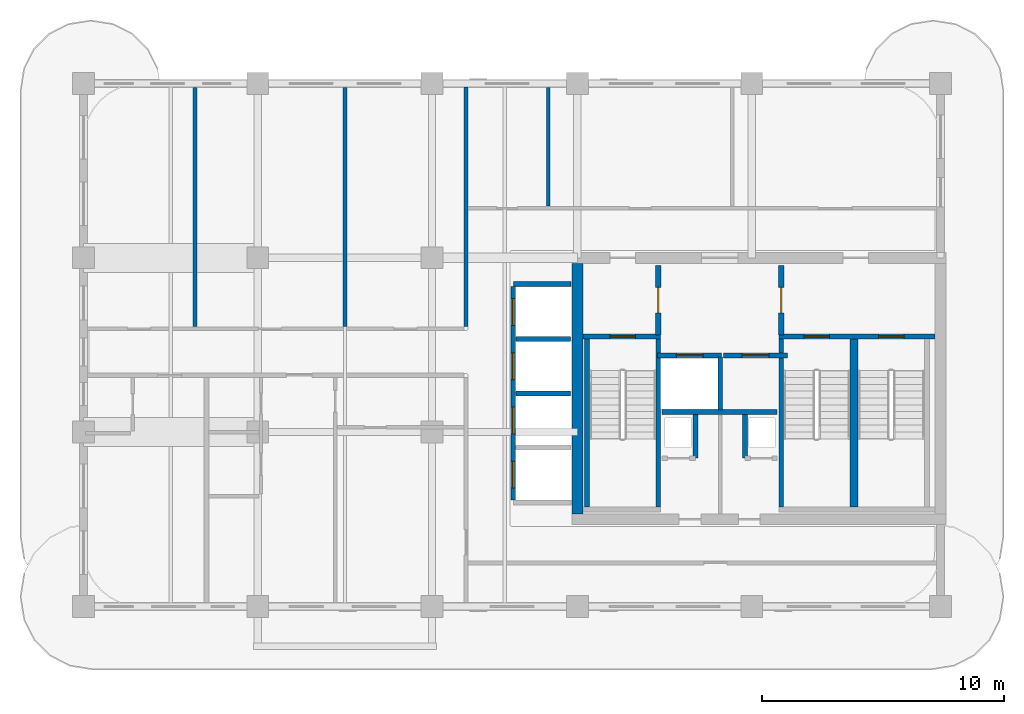
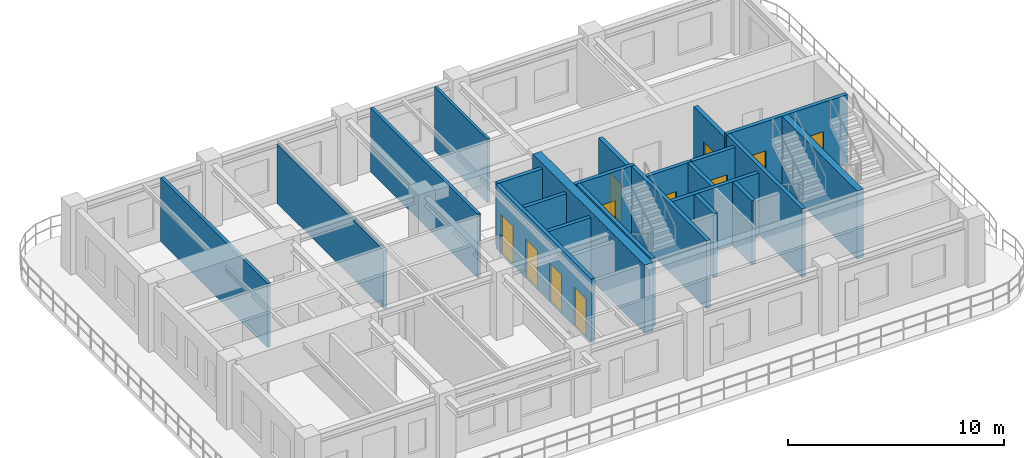
# One storey, part 4 of 8: 23 walls, 11 doors, 11 openings.
"""IFC4 building model written with IfcOpenShell, lengths in metres."""

from ifc_helpers import new_model, si_unit, derived_unit, direction, frame, frame_2d, origin, place, context, subcontext, project, spatial, rectangle, extrude, source, transform, mapped, material, layer, layer_set, type_object, type_shapes, element, fill, save


model = new_model("IFC4")

# Units and contexts
model_context = context("Model", 3, precision=1e-05, world=origin(), true_north=direction((0.0, 1.0)))
body_context = subcontext(model_context, "Body", "Model", "MODEL_VIEW")
ifc_project = project(units=[si_unit("LENGTHUNIT", "METRE"), si_unit("AREAUNIT", "SQUARE_METRE"), si_unit("VOLUMEUNIT", "CUBIC_METRE"), si_unit("PLANEANGLEUNIT", "RADIAN"), si_unit("MASSUNIT", "GRAM", prefix="KILO"), si_unit("THERMODYNAMICTEMPERATUREUNIT", "KELVIN"), si_unit("POWERUNIT", "WATT"), derived_unit("THERMALTRANSMITTANCEUNIT", [(si_unit("POWERUNIT", "WATT"), 1), (si_unit("AREAUNIT", "SQUARE_METRE"), -1), (si_unit("THERMODYNAMICTEMPERATUREUNIT", "KELVIN"), -1)])], contexts=[model_context])

# Site, building, storey
site_placement = place(None, origin())
site = spatial("IfcSite", under=ifc_project, at=site_placement, CompositionType="ELEMENT")
building_placement = place(site_placement, origin())
building = spatial("IfcBuilding", under=site, at=building_placement, Name="Zahravan Archway Hotel and Residences", CompositionType="ELEMENT")
storey_placement = place(building_placement, frame((0.0, 0.0, 248.10009765625)))
storey = spatial("IfcBuildingStorey", under=building, at=storey_placement, Name="L62", CompositionType="ELEMENT", Elevation=248.10009765625)

# Wall
ifc_material_1 = material(Name="Concrete C50/60", Category="concrete")
ifc_layer_1 = layer(ifc_material_1, 0.449951171875, Name="Concrete C50/60", Category="concrete")
ifc_layer_set_1 = layer_set([ifc_layer_1], Name="Concrete C50/60")
wall_type_1 = type_object("IfcWallType", Name="CW-CORE-450", PredefinedType="SHEAR", material=ifc_layer_set_1)
wall_1_placement = place(storey_placement, frame((34.800048828125, 3.824951171875, 0.0), z_axis=(0.0, 0.0, 1.0), x_axis=(0.0, 1.0, 0.0)))
element("IfcWall", 1, at=wall_1_placement, inside=storey, type_object=wall_type_1, Name="L62 Core A Shear W Wall 450 mm", PredefinedType="SHEAR", context=body_context, shape_type="SweptSolid", body=[
    extrude(rectangle(XDim=10.35009765625, YDim=0.449951171875, at=frame_2d((5.175048828125, 0.0))), origin(), (0.0, 0.0, 1.0), 3.849853515625),
])

# Wall, opening, door
ifc_material_2 = material(Name="Fire-Rated Gypsum & Concrete Block", Category="concrete")
ifc_layer_2 = layer(ifc_material_2, 0.219970703125, Name="Fire-Rated Gypsum & Concrete Block", Category="concrete")
ifc_layer_set_2 = layer_set([ifc_layer_2], Name="Fire-Rated Gypsum & Concrete Block")
wall_type_2 = type_object("IfcWallType", Name="PW-COMP-220", PredefinedType="PARTITIONING", material=ifc_layer_set_2)
wall_2_placement = place(storey_placement, frame((38.139892578125, 11.219970703125, 0.0), z_axis=(0.0, 0.0, 1.0), x_axis=(0.0, 1.0, 0.0)))
wall_2 = element("IfcWall", 2, at=wall_2_placement, inside=storey, type_object=wall_type_2, Name="L62 Partition CA-LOBW", PredefinedType="PARTITIONING", context=body_context, shape_type="SweptSolid", body=[
    extrude(rectangle(XDim=2.860107421875, YDim=0.219970703125, at=frame_2d((1.43017578125, 0.0))), origin(), (0.0, 0.0, 1.0), 3.599853515625),
])
opening_1_placement = place(wall_2_placement, frame((0.905029296875, 0.0, 0.0)))
opening_1 = element("IfcOpeningElement", 3, at=opening_1_placement, cuts=wall_2, Name="Opening FD-L2", PredefinedType="OPENING", context=body_context, shape_type="SweptSolid", body=[
    extrude(rectangle(XDim=1.050048828125, YDim=2.14990234375, at=frame_2d((0.52490234375, 1.074951171875))), frame((0.0, 0.1201171875, 0.0), z_axis=(0.0, -1.0, 0.0), x_axis=(1.0, 0.0, 0.0)), (0.0, 0.0, 1.0), 0.239990234375),
])
ifc_material_3 = material(Name="Fire-Rated Painted Steel", Category="steel")
door_type_1 = type_object("IfcDoorType", Name="FD-LOBBY-1100", OperationType="NOTDEFINED", PredefinedType="DOOR", material=ifc_material_3)
shared_shape_1 = source(origin(), body_context, "Body", "SweptSolid", [
    extrude(rectangle(XDim=1.050048828125, YDim=2.14990234375, at=frame_2d((0.52490234375, 1.074951171875))), frame((0.0, 0.02490234375, 0.0), z_axis=(0.0, -1.0, 0.0), x_axis=(1.0, 0.0, 0.0)), (0.0, 0.0, 1.0), 0.050048828125),
])
type_shapes(door_type_1, [shared_shape_1])
door_1_placement = place(opening_1_placement, origin())
door_1 = element("IfcDoor", 4, at=door_1_placement, inside=storey, type_object=door_type_1, Name="L62 Core A West Stair to FSAE Lobby Door", OperationType="SINGLE_SWING_LEFT", OverallHeight=2.14990234375, OverallWidth=1.050048828125, PredefinedType="DOOR", context=body_context, shape_type="MappedRepresentation", body=[
    mapped(shared_shape_1, transform((0.0, 0.0, 0.0), scale=1.0)),
])
fill(opening_1, door_1)

wall_3_placement = place(storey_placement, frame((43.219970703125, 11.219970703125, 0.0), z_axis=(0.0, 0.0, 1.0), x_axis=(0.0, 1.0, 0.0)))
wall_3 = element("IfcWall", 5, at=wall_3_placement, inside=storey, type_object=wall_type_2, Name="L62 Partition CA-LOBE", PredefinedType="PARTITIONING", context=body_context, shape_type="SweptSolid", body=[
    extrude(rectangle(XDim=2.860107421875, YDim=0.219970703125, at=frame_2d((1.43017578125, 0.0))), origin(), (0.0, 0.0, 1.0), 3.599853515625),
])
opening_2_placement = place(wall_3_placement, frame((0.905029296875, 0.0, 0.0)))
opening_2 = element("IfcOpeningElement", 6, at=opening_2_placement, cuts=wall_3, Name="Opening FD-L2", PredefinedType="OPENING", context=body_context, shape_type="SweptSolid", body=[
    extrude(rectangle(XDim=1.050048828125, YDim=2.14990234375, at=frame_2d((0.52490234375, 1.074951171875))), frame((0.0, 0.1201171875, 0.0), z_axis=(0.0, -1.0, 0.0), x_axis=(1.0, 0.0, 0.0)), (0.0, 0.0, 1.0), 0.239990234375),
])
door_2_placement = place(opening_2_placement, origin())
door_2 = element("IfcDoor", 7, at=door_2_placement, inside=storey, type_object=door_type_1, Name="L62 Core A East Stair to FSAE Lobby Door", OperationType="SINGLE_SWING_RIGHT", OverallHeight=2.14990234375, OverallWidth=1.050048828125, PredefinedType="DOOR", context=body_context, shape_type="MappedRepresentation", body=[
    mapped(shared_shape_1, transform((0.0, 0.0, 0.0), scale=1.0)),
])
fill(opening_2, door_2)

# Walls
ifc_layer_3 = layer(ifc_material_2, 0.159912109375, Name="Fire-Rated Gypsum & Concrete Block", Category="concrete")
ifc_layer_set_3 = layer_set([ifc_layer_3], Name="Fire-Rated Gypsum & Concrete Block")
wall_type_3 = type_object("IfcWallType", Name="PW-CORR-160", PredefinedType="PARTITIONING", material=ifc_layer_set_3)
wall_4_placement = place(storey_placement, frame((30.199951171875, 11.56005859375, 0.0), z_axis=(0.0, 0.0, 1.0), x_axis=(0.0, 1.0, 0.0)))
element("IfcWall", 8, at=wall_4_placement, inside=storey, type_object=wall_type_3, Name="L62 Partition WA-FW", PredefinedType="PARTITIONING", context=body_context, shape_type="SweptSolid", body=[
    extrude(rectangle(XDim=9.89990234375, YDim=0.159912109375, at=frame_2d((4.949951171875, 0.0))), origin(), (0.0, 0.0, 1.0), 3.599853515625),
])
ifc_layer_4 = layer(ifc_material_2, 0.199951171875, Name="Fire-Rated Gypsum & Concrete Block", Category="concrete")
ifc_layer_set_4 = layer_set([ifc_layer_4], Name="Fire-Rated Gypsum & Concrete Block")
wall_type_4 = type_object("IfcWallType", Name="PW-SHAFT-200", PredefinedType="PARTITIONING", material=ifc_layer_set_4)
wall_5_placement = place(storey_placement, frame((38.300048828125, 8.030029296875, 0.0), z_axis=(0.0, 0.0, 1.0), x_axis=(1.0, 0.0, 0.0)))
element("IfcWall", 9, at=wall_5_placement, inside=storey, type_object=wall_type_4, Name="L62 Partition CA-FLS", PredefinedType="PARTITIONING", context=body_context, shape_type="SweptSolid", body=[
    extrude(rectangle(XDim=4.739990234375, YDim=0.199951171875, at=frame_2d((2.3701171875, 0.0))), origin(), (0.0, 0.0, 1.0), 3.599853515625),
])
wall_6_placement = place(storey_placement, frame((40.699951171875, 8.1201171875, 0.0), z_axis=(0.0, 0.0, 1.0), x_axis=(0.0, 1.0, 0.0)))
element("IfcWall", 10, at=wall_6_placement, inside=storey, type_object=wall_type_4, Name="L62 Partition CA-FLM", PredefinedType="PARTITIONING", context=body_context, shape_type="SweptSolid", body=[
    extrude(rectangle(XDim=2.179931640625, YDim=0.199951171875, at=frame_2d((1.08984375, 0.0))), origin(), (0.0, 0.0, 1.0), 3.599853515625),
])
for number, where, z_axis, x_axis, name in (
    (11, (39.679931640625, 6.1298828125, 0.0), (0.0, 0.0, 1.0), (0.0, 1.0, 0.0), "L62 Partition CA-SMKE"),
    (12, (41.719970703125, 6.1298828125, 0.0), (0.0, 0.0, 1.0), (0.0, 1.0, 0.0), "L62 Partition CA-MEPW"),
):
    element("IfcWall", number, at=place(storey_placement, frame(where, z_axis=z_axis, x_axis=x_axis)), inside=storey, type_object=wall_type_4, Name=name, PredefinedType="PARTITIONING", context=body_context, shape_type="SweptSolid", body=[
        extrude(rectangle(XDim=1.7900390625, YDim=0.199951171875, at=frame_2d((0.89501953125, 0.0))), origin(), (0.0, 0.0, 1.0), 3.599853515625),
    ])
wall_7_placement = place(storey_placement, frame((32.159912109375, 13.320068359375, 0.0), z_axis=(0.0, 0.0, 1.0), x_axis=(1.0, 0.0, 0.0)))
element("IfcWall", 13, at=wall_7_placement, inside=storey, type_object=wall_type_4, Name="L62 Partition B3-N", PredefinedType="PARTITIONING", context=body_context, shape_type="SweptSolid", body=[
    extrude(rectangle(XDim=2.385009765625, YDim=0.199951171875, at=frame_2d((1.1923828125, 0.0))), origin(), (0.0, 0.0, 1.0), 3.599853515625),
])

# Wall, openings, doors
wall_8_placement = place(storey_placement, frame((32.14990234375, 4.389892578125, 0.0), z_axis=(0.0, 0.0, 1.0), x_axis=(0.0, 1.0, 0.0)))
wall_8 = element("IfcWall", 14, at=wall_8_placement, inside=storey, type_object=wall_type_4, Name="L62 Partition B3-W", PredefinedType="PARTITIONING", context=body_context, shape_type="SweptSolid", body=[
    extrude(rectangle(XDim=8.820068359375, YDim=0.199951171875, at=frame_2d((4.41015625, 0.0))), origin(), (0.0, 0.0, 1.0), 3.599853515625),
])
opening_3_placement = place(wall_8_placement, frame((0.5, 0.0, 0.0)))
opening_3 = element("IfcOpeningElement", 15, at=opening_3_placement, cuts=wall_8, Name="Opening LD", PredefinedType="OPENING", context=body_context, shape_type="SweptSolid", body=[
    extrude(rectangle(XDim=1.10009765625, YDim=2.199951171875, at=frame_2d((0.550048828125, 1.10009765625))), frame((0.0, 0.10986328125, 0.0), z_axis=(0.0, -1.0, 0.0), x_axis=(1.0, 0.0, 0.0)), (0.0, 0.0, 1.0), 0.219970703125),
])
opening_4_placement = place(wall_8_placement, frame((2.739990234375, 0.0, 0.0)))
opening_4 = element("IfcOpeningElement", 16, at=opening_4_placement, cuts=wall_8, Name="Opening LD", PredefinedType="OPENING", context=body_context, shape_type="SweptSolid", body=[
    extrude(rectangle(XDim=1.10009765625, YDim=2.199951171875, at=frame_2d((0.550048828125, 1.10009765625))), frame((0.0, 0.10986328125, 0.0), z_axis=(0.0, -1.0, 0.0), x_axis=(1.0, 0.0, 0.0)), (0.0, 0.0, 1.0), 0.219970703125),
])
opening_5_placement = place(wall_8_placement, frame((4.97998046875, 0.0, 0.0)))
opening_5 = element("IfcOpeningElement", 17, at=opening_5_placement, cuts=wall_8, Name="Opening LD", PredefinedType="OPENING", context=body_context, shape_type="SweptSolid", body=[
    extrude(rectangle(XDim=1.10009765625, YDim=2.199951171875, at=frame_2d((0.550048828125, 1.10009765625))), frame((0.0, 0.10986328125, 0.0), z_axis=(0.0, -1.0, 0.0), x_axis=(1.0, 0.0, 0.0)), (0.0, 0.0, 1.0), 0.219970703125),
])
opening_6_placement = place(wall_8_placement, frame((7.219970703125, 0.0, 0.0)))
opening_6 = element("IfcOpeningElement", 18, at=opening_6_placement, cuts=wall_8, Name="Opening LD", PredefinedType="OPENING", context=body_context, shape_type="SweptSolid", body=[
    extrude(rectangle(XDim=1.10009765625, YDim=2.199951171875, at=frame_2d((0.550048828125, 1.10009765625))), frame((0.0, 0.10986328125, 0.0), z_axis=(0.0, -1.0, 0.0), x_axis=(1.0, 0.0, 0.0)), (0.0, 0.0, 1.0), 0.219970703125),
])
ifc_material_4 = material(Name="Brushed Stainless Steel", Category="steel")
door_type_2 = type_object("IfcDoorType", Name="DR-LIFT-LD", OperationType="SLIDING_TO_LEFT", PredefinedType="DOOR", material=ifc_material_4)
shared_shape_2 = source(origin(), body_context, "Body", "SweptSolid", [
    extrude(rectangle(XDim=1.10009765625, YDim=2.199951171875, at=frame_2d((0.550048828125, 1.10009765625))), frame((0.0, 0.02490234375, 0.0), z_axis=(0.0, -1.0, 0.0), x_axis=(1.0, 0.0, 0.0)), (0.0, 0.0, 1.0), 0.050048828125),
])
type_shapes(door_type_2, [shared_shape_2])
door_3_placement = place(opening_3_placement, origin())
door_3 = element("IfcDoor", 19, at=door_3_placement, inside=storey, type_object=door_type_2, Name="L62 Lift LP-7 Sliding Landing Door", OperationType="SLIDING_TO_LEFT", OverallHeight=2.199951171875, OverallWidth=1.10009765625, PredefinedType="DOOR", context=body_context, shape_type="MappedRepresentation", body=[
    mapped(shared_shape_2, transform((0.0, 0.0, 0.0), scale=1.0)),
])
fill(opening_3, door_3)
door_4_placement = place(opening_4_placement, origin())
door_4 = element("IfcDoor", 20, at=door_4_placement, inside=storey, type_object=door_type_2, Name="L62 Lift LP-8 Sliding Landing Door", OperationType="SLIDING_TO_LEFT", OverallHeight=2.199951171875, OverallWidth=1.10009765625, PredefinedType="DOOR", context=body_context, shape_type="MappedRepresentation", body=[
    mapped(shared_shape_2, transform((0.0, 0.0, 0.0), scale=1.0)),
])
fill(opening_4, door_4)
door_5_placement = place(opening_5_placement, origin())
door_5 = element("IfcDoor", 21, at=door_5_placement, inside=storey, type_object=door_type_2, Name="L62 Lift LP-9 Sliding Landing Door", OperationType="SLIDING_TO_LEFT", OverallHeight=2.199951171875, OverallWidth=1.10009765625, PredefinedType="DOOR", context=body_context, shape_type="MappedRepresentation", body=[
    mapped(shared_shape_2, transform((0.0, 0.0, 0.0), scale=1.0)),
])
fill(opening_5, door_5)
door_6_placement = place(opening_6_placement, origin())
door_6 = element("IfcDoor", 22, at=door_6_placement, inside=storey, type_object=door_type_2, Name="L62 Lift LP-10 Sliding Landing Door", OperationType="SLIDING_TO_LEFT", OverallHeight=2.199951171875, OverallWidth=1.10009765625, PredefinedType="DOOR", context=body_context, shape_type="MappedRepresentation", body=[
    mapped(shared_shape_2, transform((0.0, 0.0, 0.0), scale=1.0)),
])
fill(opening_6, door_6)

# Walls
for number, where, z_axis, x_axis, name in (
    (23, (32.260009765625, 8.800048828125, 0.0), (0.0, 0.0, 1.0), (1.0, 0.0, 0.0), "L62 Partition B3-D"),
    (24, (32.260009765625, 11.0400390625, 0.0), (0.0, 0.0, 1.0), (1.0, 0.0, 0.0), "L62 Partition B3-D"),
):
    element("IfcWall", number, at=place(storey_placement, frame(where, z_axis=z_axis, x_axis=x_axis)), inside=storey, type_object=wall_type_4, Name=name, PredefinedType="PARTITIONING", context=body_context, shape_type="SweptSolid", body=[
        extrude(rectangle(XDim=2.2548828125, YDim=0.199951171875, at=frame_2d((1.12744140625, 0.0))), origin(), (0.0, 0.0, 1.0), 3.599853515625),
    ])

# Wall, opening, door
wall_9_placement = place(storey_placement, frame((38.1201171875, 10.3701171875, 0.0), z_axis=(0.0, 0.0, 1.0), x_axis=(1.0, 0.0, 0.0)))
wall_9 = element("IfcWall", 25, at=wall_9_placement, inside=storey, type_object=wall_type_4, Name="L62 Lift FL-1 Front Wall", PredefinedType="PARTITIONING", context=body_context, shape_type="SweptSolid", body=[
    extrude(rectangle(XDim=2.639892578125, YDim=0.199951171875, at=frame_2d((1.31982421875, 0.0))), origin(), (0.0, 0.0, 1.0), 3.599853515625),
])
opening_7_placement = place(wall_9_placement, frame((0.77001953125, 0.0, 0.0)))
opening_7 = element("IfcOpeningElement", 26, at=opening_7_placement, cuts=wall_9, Name="Opening LD", PredefinedType="OPENING", context=body_context, shape_type="SweptSolid", body=[
    extrude(rectangle(XDim=1.10009765625, YDim=2.199951171875, at=frame_2d((0.550048828125, 1.10009765625))), frame((0.0, 0.10986328125, 0.0), z_axis=(0.0, -1.0, 0.0), x_axis=(1.0, 0.0, 0.0)), (0.0, 0.0, 1.0), 0.219970703125),
])
door_7_placement = place(opening_7_placement, origin())
door_7 = element("IfcDoor", 27, at=door_7_placement, inside=storey, type_object=door_type_2, Name="L62 Lift FL-1 Sliding Landing Door", OperationType="SLIDING_TO_LEFT", OverallHeight=2.199951171875, OverallWidth=1.10009765625, PredefinedType="DOOR", context=body_context, shape_type="MappedRepresentation", body=[
    mapped(shared_shape_2, transform((0.0, 0.0, 0.0), scale=1.0)),
])
fill(opening_7, door_7)

wall_10_placement = place(storey_placement, frame((40.840087890625, 10.3701171875, 0.0), z_axis=(0.0, 0.0, 1.0), x_axis=(1.0, 0.0, 0.0)))
wall_10 = element("IfcWall", 28, at=wall_10_placement, inside=storey, type_object=wall_type_4, Name="L62 Lift FL-2 Front Wall", PredefinedType="PARTITIONING", context=body_context, shape_type="SweptSolid", body=[
    extrude(rectangle(XDim=2.639892578125, YDim=0.199951171875, at=frame_2d((1.31982421875, 0.0))), origin(), (0.0, 0.0, 1.0), 3.599853515625),
])
opening_8_placement = place(wall_10_placement, frame((0.77001953125, 0.0, 0.0)))
opening_8 = element("IfcOpeningElement", 29, at=opening_8_placement, cuts=wall_10, Name="Opening LD", PredefinedType="OPENING", context=body_context, shape_type="SweptSolid", body=[
    extrude(rectangle(XDim=1.10009765625, YDim=2.199951171875, at=frame_2d((0.550048828125, 1.10009765625))), frame((0.0, 0.10986328125, 0.0), z_axis=(0.0, -1.0, 0.0), x_axis=(1.0, 0.0, 0.0)), (0.0, 0.0, 1.0), 0.219970703125),
])
door_8_placement = place(opening_8_placement, origin())
door_8 = element("IfcDoor", 30, at=door_8_placement, inside=storey, type_object=door_type_2, Name="L62 Lift FL-2 Sliding Landing Door", OperationType="SLIDING_TO_LEFT", OverallHeight=2.199951171875, OverallWidth=1.10009765625, PredefinedType="DOOR", context=body_context, shape_type="MappedRepresentation", body=[
    mapped(shared_shape_2, transform((0.0, 0.0, 0.0), scale=1.0)),
])
fill(opening_8, door_8)

# Walls
ifc_material_5 = material(Name="Acoustic Stud Partition")
ifc_layer_5 = layer(ifc_material_5, 0.169921875, Name="Acoustic Stud Partition")
ifc_layer_set_5 = layer_set([ifc_layer_5], Name="Acoustic Stud Partition")
wall_type_5 = type_object("IfcWallType", Name="PW-UNIT-170", PredefinedType="PARTITIONING", material=ifc_layer_set_5)
wall_11_placement = place(storey_placement, frame((19.0, 11.56005859375, 0.0), z_axis=(0.0, 0.0, 1.0), x_axis=(0.0, 1.0, 0.0)))
element("IfcWall", 31, at=wall_11_placement, inside=storey, type_object=wall_type_5, Name="L62 Partition WAN-SA4A", PredefinedType="PARTITIONING", context=body_context, shape_type="SweptSolid", body=[
    extrude(rectangle(XDim=9.871826171875, YDim=0.169921875, at=frame_2d((4.93603515625, 0.0))), origin(), (0.0, 0.0, 1.0), 3.599853515625),
])
wall_12_placement = place(storey_placement, frame((25.199951171875, 11.56005859375, 0.0), z_axis=(0.0, 0.0, 1.0), x_axis=(0.0, 1.0, 0.0)))
element("IfcWall", 32, at=wall_12_placement, inside=storey, type_object=wall_type_5, Name="L62 Partition WAN-SA4B", PredefinedType="PARTITIONING", context=body_context, shape_type="SweptSolid", body=[
    extrude(rectangle(XDim=9.871826171875, YDim=0.169921875, at=frame_2d((4.93603515625, 0.0))), origin(), (0.0, 0.0, 1.0), 3.31494140625),
])
ifc_material_6 = material(Name="Moisture-Resistant Blockwork", Category="masonry")
ifc_layer_6 = layer(ifc_material_6, 0.139892578125, Name="Moisture-Resistant Blockwork", Category="masonry")
ifc_layer_set_6 = layer_set([ifc_layer_6], Name="Moisture-Resistant Blockwork")
wall_type_6 = type_object("IfcWallType", Name="PW-WET-140", PredefinedType="PARTITIONING", material=ifc_layer_set_6)
wall_13_placement = place(storey_placement, frame((33.60009765625, 16.5400390625, 0.0), z_axis=(0.0, 0.0, 1.0), x_axis=(0.0, 1.0, 0.0)))
element("IfcWall", 33, at=wall_13_placement, inside=storey, type_object=wall_type_6, Name="L62 Partition NE0-1", PredefinedType="PARTITIONING", context=body_context, shape_type="SweptSolid", body=[
    extrude(rectangle(XDim=4.891845703125, YDim=0.139892578125, at=frame_2d((2.44580078125, 0.0))), origin(), (0.0, 0.0, 1.0), 3.599853515625),
])
ifc_layer_7 = layer(ifc_material_1, 0.199951171875, Name="Concrete C50/60", Category="concrete")
ifc_layer_set_7 = layer_set([ifc_layer_7], Name="Concrete C50/60")
wall_type_7 = type_object("IfcWallType", Name="SW-STAIR-200", PredefinedType="SHEAR", material=ifc_layer_set_7)
for number, where, z_axis, x_axis, name in (
    (34, (35.199951171875, 4.10009765625, 0.0), (0.0, 0.0, 1.0), (0.0, 1.0, 0.0), "L62 Stairwell RC Wall CA-SA1W"),
    (35, (38.139892578125, 4.10009765625, 0.0), (0.0, 0.0, 1.0), (0.0, 1.0, 0.0), "L62 Stairwell RC Wall CA-SA1E"),
):
    element("IfcWall", number, at=place(storey_placement, frame(where, z_axis=z_axis, x_axis=x_axis)), inside=storey, type_object=wall_type_7, Name=name, PredefinedType="SHEAR", context=body_context, shape_type="SweptSolid", body=[
        extrude(rectangle(XDim=6.949951171875, YDim=0.199951171875, at=frame_2d((3.47509765625, 0.0))), origin(), (0.0, 0.0, 1.0), 3.849853515625),
    ])

# Wall, opening, door
wall_14_placement = place(storey_placement, frame((35.02490234375, 11.14990234375, 0.0), z_axis=(0.0, 0.0, 1.0), x_axis=(1.0, 0.0, 0.0)))
wall_14 = element("IfcWall", 36, at=wall_14_placement, inside=storey, type_object=wall_type_7, Name="L62 Stairwell RC Wall CA-SA1N", PredefinedType="SHEAR", context=body_context, shape_type="SweptSolid", body=[
    extrude(rectangle(XDim=3.215087890625, YDim=0.199951171875, at=frame_2d((1.607421875, 0.0))), origin(), (0.0, 0.0, 1.0), 3.849853515625),
])
opening_9_placement = place(wall_14_placement, frame((1.1201171875, 0.0, 0.0)))
opening_9 = element("IfcOpeningElement", 37, at=opening_9_placement, cuts=wall_14, Name="Opening FD-S1", PredefinedType="OPENING", context=body_context, shape_type="SweptSolid", body=[
    extrude(rectangle(XDim=1.050048828125, YDim=2.199951171875, at=frame_2d((0.52490234375, 1.10009765625))), frame((0.0, 0.10986328125, 0.0), z_axis=(0.0, -1.0, 0.0), x_axis=(1.0, 0.0, 0.0)), (0.0, 0.0, 1.0), 0.219970703125),
])
door_type_3 = type_object("IfcDoorType", Name="FD-STAIR-1100", OperationType="NOTDEFINED", PredefinedType="DOOR", material=ifc_material_3)
shared_shape_3 = source(origin(), body_context, "Body", "SweptSolid", [
    extrude(rectangle(XDim=1.050048828125, YDim=2.199951171875, at=frame_2d((0.52490234375, 1.10009765625))), frame((0.0, 0.02490234375, 0.0), z_axis=(0.0, -1.0, 0.0), x_axis=(1.0, 0.0, 0.0)), (0.0, 0.0, 1.0), 0.050048828125),
])
type_shapes(door_type_3, [shared_shape_3])
door_9_placement = place(opening_9_placement, origin())
door_9 = element("IfcDoor", 38, at=door_9_placement, inside=storey, type_object=door_type_3, Name="L62 Stair ST-A1 Door", OperationType="SINGLE_SWING_RIGHT", OverallHeight=2.199951171875, OverallWidth=1.050048828125, PredefinedType="DOOR", context=body_context, shape_type="MappedRepresentation", body=[
    mapped(shared_shape_3, transform((0.0, 0.0, 0.0), scale=1.0)),
])
fill(opening_9, door_9)

# Wall
wall_15_placement = place(storey_placement, frame((43.219970703125, 4.10009765625, 0.0), z_axis=(0.0, 0.0, 1.0), x_axis=(0.0, 1.0, 0.0)))
element("IfcWall", 39, at=wall_15_placement, inside=storey, type_object=wall_type_7, Name="L62 Stairwell RC Wall CA-SA2W", PredefinedType="SHEAR", context=body_context, shape_type="SweptSolid", body=[
    extrude(rectangle(XDim=6.949951171875, YDim=0.199951171875, at=frame_2d((3.47509765625, 0.0))), origin(), (0.0, 0.0, 1.0), 3.849853515625),
])

# Wall, openings, doors
wall_16_placement = place(storey_placement, frame((43.1201171875, 11.14990234375, 0.0), z_axis=(0.0, 0.0, 1.0), x_axis=(1.0, 0.0, 0.0)))
wall_16 = element("IfcWall", 40, at=wall_16_placement, inside=storey, type_object=wall_type_7, Name="L62 Stairwell RC Wall CA-SA23N", PredefinedType="SHEAR", context=body_context, shape_type="SweptSolid", body=[
    extrude(rectangle(XDim=6.454833984375, YDim=0.199951171875, at=frame_2d((3.2275390625, 0.0))), origin(), (0.0, 0.0, 1.0), 3.849853515625),
])
opening_10_placement = place(wall_16_placement, frame((1.044921875, 0.0, 0.0)))
opening_10 = element("IfcOpeningElement", 41, at=opening_10_placement, cuts=wall_16, Name="Opening FD-S1", PredefinedType="OPENING", context=body_context, shape_type="SweptSolid", body=[
    extrude(rectangle(XDim=1.050048828125, YDim=2.199951171875, at=frame_2d((0.52490234375, 1.10009765625))), frame((0.0, 0.10986328125, 0.0), z_axis=(0.0, -1.0, 0.0), x_axis=(1.0, 0.0, 0.0)), (0.0, 0.0, 1.0), 0.219970703125),
])
opening_11_placement = place(wall_16_placement, frame((4.125, 0.0, 0.0)))
opening_11 = element("IfcOpeningElement", 42, at=opening_11_placement, cuts=wall_16, Name="Opening FD-S1", PredefinedType="OPENING", context=body_context, shape_type="SweptSolid", body=[
    extrude(rectangle(XDim=1.050048828125, YDim=2.199951171875, at=frame_2d((0.52490234375, 1.10009765625))), frame((0.0, 0.10986328125, 0.0), z_axis=(0.0, -1.0, 0.0), x_axis=(1.0, 0.0, 0.0)), (0.0, 0.0, 1.0), 0.219970703125),
])
door_10_placement = place(opening_10_placement, origin())
door_10 = element("IfcDoor", 43, at=door_10_placement, inside=storey, type_object=door_type_3, Name="L62 Stair ST-A2 Door", OperationType="SINGLE_SWING_LEFT", OverallHeight=2.199951171875, OverallWidth=1.050048828125, PredefinedType="DOOR", context=body_context, shape_type="MappedRepresentation", body=[
    mapped(shared_shape_3, transform((0.0, 0.0, 0.0), scale=1.0)),
])
fill(opening_10, door_10)
door_11_placement = place(opening_11_placement, origin())
door_11 = element("IfcDoor", 44, at=door_11_placement, inside=storey, type_object=door_type_3, Name="L62 Stair ST-A3 Door", OperationType="SINGLE_SWING_RIGHT", OverallHeight=2.199951171875, OverallWidth=1.050048828125, PredefinedType="DOOR", context=body_context, shape_type="MappedRepresentation", body=[
    mapped(shared_shape_3, transform((0.0, 0.0, 0.0), scale=1.0)),
])
fill(opening_11, door_11)

# Wall
ifc_layer_8 = layer(ifc_material_1, 0.340087890625, Name="Concrete C50/60", Category="concrete")
ifc_layer_set_8 = layer_set([ifc_layer_8], Name="Concrete C50/60")
wall_type_8 = type_object("IfcWallType", Name="SW-STAIR-340", PredefinedType="SHEAR", material=ifc_layer_set_8)
wall_17_placement = place(storey_placement, frame((46.22998046875, 4.10009765625, 0.0), z_axis=(0.0, 0.0, 1.0), x_axis=(0.0, 1.0, 0.0)))
element("IfcWall", 45, at=wall_17_placement, inside=storey, type_object=wall_type_8, Name="L62 Stairwell RC Wall CA-SA23M", PredefinedType="SHEAR", context=body_context, shape_type="SweptSolid", body=[
    extrude(rectangle(XDim=6.949951171875, YDim=0.340087890625, at=frame_2d((3.47509765625, 0.0))), origin(), (0.0, 0.0, 1.0), 3.849853515625),
])

save(model, "model.ifc")
